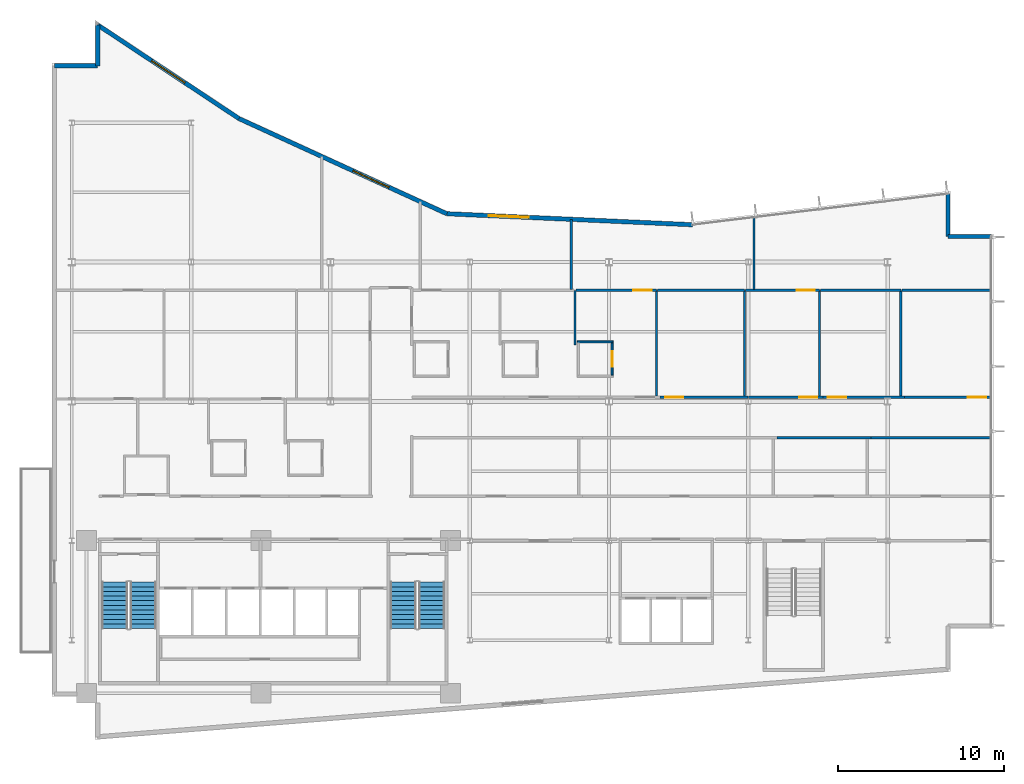
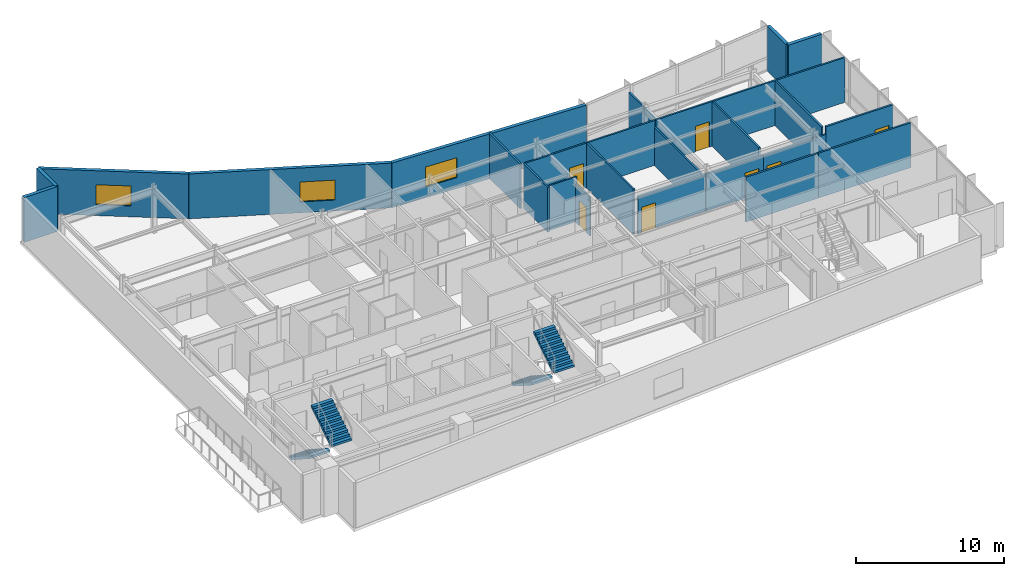
# One storey, part 13 of 18: 27 walls, 7 doors, 4 stair flights, 3 windows, 10 openings, 2 elements without a shape of their own.
"""IFC4 building model written with IfcOpenShell, lengths in metres."""

from ifc_helpers import new_model, si_unit, direction, frame, frame_2d, origin, place, context, subcontext, project, spatial, polyline, rectangle, outline, extrude, material, layer, layer_set, type_object, element, fill, aggregate, save


model = new_model("IFC4")

# Units and contexts
model_context = context("Model", 3, precision=1e-05, world=origin(), true_north=direction((0.0, 1.0)))
body_context = subcontext(model_context, "Body", "Model", "MODEL_VIEW")
ifc_project = project(units=[si_unit("LENGTHUNIT", "METRE"), si_unit("AREAUNIT", "SQUARE_METRE"), si_unit("VOLUMEUNIT", "CUBIC_METRE"), si_unit("PLANEANGLEUNIT", "RADIAN"), si_unit("MASSUNIT", "GRAM", prefix="KILO")], contexts=[model_context])

# Site, building, storey
site_placement = place(None, origin())
site = spatial("IfcSite", under=ifc_project, at=site_placement, CompositionType="ELEMENT")
building_placement = place(site_placement, origin())
building = spatial("IfcBuilding", under=site, at=building_placement, Name="Varnakote Quay Hospital", CompositionType="ELEMENT")
storey_placement = place(building_placement, frame((0.0, 0.0, 158.64990234375)))
storey = spatial("IfcBuildingStorey", under=building, at=storey_placement, Name="L39", CompositionType="ELEMENT", Elevation=158.64990234375)

# Wall
ifc_material_1 = material(Name="Moisture-resistant bathroom partition", Category="gypsum")
ifc_layer_1 = layer(ifc_material_1, 0.114990234375)
ifc_layer_set_1 = layer_set([ifc_layer_1], Name="Moisture-resistant bathroom partition")
wall_type_1 = type_object("IfcWallType", Name="WL-ENS-115", PredefinedType="PARTITIONING", material=ifc_layer_set_1)
wall_1_placement = place(storey_placement, frame((31.695068359375, 23.987548828125, 0.0), z_axis=(0.0, 0.0, 1.0), x_axis=(1.0, 0.0, 0.0)))
element("IfcWall", 1, at=wall_1_placement, inside=storey, type_object=wall_type_1, Name="L39 Inpatient En-Suite Bathroom 05 N Wall", PredefinedType="PARTITIONING", context=body_context, shape_type="SweptSolid", body=[
    extrude(rectangle(XDim=2.14990234375, YDim=0.114990234375, at=frame_2d((1.074951171875, 0.0))), origin(), (0.0, 0.0, 1.0), 3.710205078125),
])

# Wall, opening, door
wall_2_placement = place(storey_placement, frame((33.78759765625, 21.97998046875, 0.0), z_axis=(0.0, 0.0, 1.0), x_axis=(0.0, 1.0, 0.0)))
wall_2 = element("IfcWall", 2, at=wall_2_placement, inside=storey, type_object=wall_type_1, Name="L39 Inpatient En-Suite Bathroom 05 E Wall", PredefinedType="PARTITIONING", context=body_context, shape_type="SweptSolid", body=[
    extrude(rectangle(XDim=1.949951171875, YDim=0.114990234375, at=frame_2d((0.97509765625, 0.0))), origin(), (0.0, 0.0, 1.0), 3.152099609375),
])
opening_1_placement = place(wall_2_placement, frame((0.514892578125, 0.0, 0.0)))
opening_1 = element("IfcOpeningElement", 3, at=opening_1_placement, cuts=wall_2, Name="Opening D-L39-ENS05", PredefinedType="OPENING", context=body_context, shape_type="SweptSolid", body=[
    extrude(rectangle(XDim=0.919921875, YDim=2.10009765625, at=frame_2d((0.4599609375, 1.050048828125))), frame((0.0, 0.0673828125, 0.0), z_axis=(0.0, -1.0, 0.0), x_axis=(1.0, 0.0, 0.0)), (0.0, 0.0, 1.0), 0.135009765625),
])
ifc_material_2 = material(Name="Moisture-sealed en-suite bathroom door")
door_type_1 = type_object("IfcDoorType", Name="DR-ENS-920x2100", OperationType="NOTDEFINED", PredefinedType="DOOR", material=ifc_material_2)
door_1_placement = place(opening_1_placement, origin())
door_1 = element("IfcDoor", 4, at=door_1_placement, inside=storey, type_object=door_type_1, Name="L39 Inpatient En-Suite Bathroom 05 Door", OperationType="SINGLE_SWING_RIGHT", OverallHeight=2.10009765625, OverallWidth=0.919921875, PredefinedType="DOOR", context=body_context, shape_type="SweptSolid", body=[
    extrude(rectangle(XDim=0.919921875, YDim=2.10009765625, at=frame_2d((0.4599609375, 1.050048828125))), frame((0.0, 0.02490234375, 0.0), z_axis=(0.0, -1.0, 0.0), x_axis=(1.0, 0.0, 0.0)), (0.0, 0.0, 1.0), 0.050048828125),
])
fill(opening_1, door_1)

# Walls
ifc_material_3 = material(Name="Precast concrete N50 (f'c 50 MPa)", Category="concrete")
ifc_layer_2 = layer(ifc_material_3, 0.260009765625)
ifc_layer_set_2 = layer_set([ifc_layer_2], Name="Precast concrete N50 (f'c 50 MPa)")
wall_type_2 = type_object("IfcWallType", Name="WL-EXT-BRICK-260", PredefinedType="STANDARD", material=ifc_layer_set_2)
wall_3_placement = place(storey_placement, frame((56.639892578125, 30.340087890625, 0.0), z_axis=(0.0, 0.0, 1.0), x_axis=(-1.0, 0.0, 0.0)))
element("IfcWall", 5, at=wall_3_placement, inside=storey, type_object=wall_type_2, Name="L39 Brick-Faced Precast Exterior Wall", PredefinedType="STANDARD", context=body_context, shape_type="SweptSolid", body=[
    extrude(rectangle(XDim=2.599853515625, YDim=0.260009765625, at=frame_2d((1.2998046875, 0.0))), origin(), (0.0, 0.0, 1.0), 3.710205078125),
])
wall_4_placement = place(storey_placement, frame((54.0400390625, 30.340087890625, 0.0), z_axis=(0.0, 0.0, 1.0), x_axis=(0.0, 1.0, 0.0)))
element("IfcWall", 6, at=wall_4_placement, inside=storey, type_object=wall_type_2, Name="L39 Brick-Faced Precast Exterior Wall", PredefinedType="STANDARD", context=body_context, shape_type="SweptSolid", body=[
    extrude(rectangle(XDim=2.579345703125, YDim=0.260009765625, at=frame_2d((1.28955078125, 0.0))), origin(), (0.0, 0.0, 1.0), 3.710205078125),
])

# Wall, opening, window
wall_5_placement = place(storey_placement, frame((38.630126953125, 31.051513671875, 0.0), z_axis=(0.0, 0.0, 1.0), x_axis=(-0.998996592956, 0.044786239663, 0.0)))
wall_5 = element("IfcWall", 7, at=wall_5_placement, inside=storey, type_object=wall_type_2, Name="L39 Brick-Faced Precast Exterior Wall", PredefinedType="STANDARD", context=body_context, shape_type="SweptSolid", body=[
    extrude(rectangle(XDim=14.827392578125, YDim=0.260009765625, at=frame_2d((7.41357421875, 0.0))), origin(), (0.0, 0.0, 1.0), 3.710205078125),
])
opening_2_placement = place(wall_5_placement, frame((9.88232421875, 0.0, 0.89990234375)))
opening_2 = element("IfcOpeningElement", 8, at=opening_2_placement, cuts=wall_5, Name="Opening WN-0167", PredefinedType="OPENING", context=body_context, shape_type="SweptSolid", body=[
    extrude(rectangle(XDim=2.39990234375, YDim=1.64990234375, at=frame_2d((1.199951171875, 0.824951171875))), frame((0.0, 0.139892578125, 0.0), z_axis=(0.0, -1.0, 0.0), x_axis=(1.0, 0.0, 0.0)), (0.0, 0.0, 1.0), 0.280029296875),
])
ifc_material_4 = material(Name="Double-glazed low-E solar glass", Category="glass")
window_type = type_object("IfcWindowType", Name="WIN-CLIN-2400x1650", PartitioningType="SINGLE_PANEL", PredefinedType="WINDOW", material=ifc_material_4)
window_1_placement = place(opening_2_placement, origin())
window_1 = element("IfcWindow", 9, at=window_1_placement, inside=storey, type_object=window_type, Name="L39 Solar-Control Clinical Window", OverallHeight=1.64990234375, OverallWidth=2.39990234375, PartitioningType="SINGLE_PANEL", PredefinedType="WINDOW", context=body_context, shape_type="SweptSolid", body=[
    extrude(rectangle(XDim=2.39990234375, YDim=1.64990234375, at=frame_2d((1.199951171875, 0.824951171875))), frame((0.0, 0.030029296875, 0.0), z_axis=(0.0, -1.0, 0.0), x_axis=(1.0, 0.0, 0.0)), (0.0, 0.0, 1.0), 0.06005859375),
])
fill(opening_2, window_1)

wall_6_placement = place(storey_placement, frame((23.817626953125, 31.715576171875, 0.0), z_axis=(0.0, 0.0, 1.0), x_axis=(-0.909209527513, 0.416338846471, 0.0)))
wall_6 = element("IfcWall", 10, at=wall_6_placement, inside=storey, type_object=wall_type_2, Name="L39 Brick-Faced Precast Exterior Wall", PredefinedType="STANDARD", context=body_context, shape_type="SweptSolid", body=[
    extrude(rectangle(XDim=13.787353515625, YDim=0.260009765625, at=frame_2d((6.8935546875, 0.0))), origin(), (0.0, 0.0, 1.0), 3.710205078125),
])
opening_3_placement = place(wall_6_placement, frame((3.8291015625, 0.0, 0.89990234375)))
opening_3 = element("IfcOpeningElement", 11, at=opening_3_placement, cuts=wall_6, Name="Opening WN-0168", PredefinedType="OPENING", context=body_context, shape_type="SweptSolid", body=[
    extrude(rectangle(XDim=2.39990234375, YDim=1.64990234375, at=frame_2d((1.199951171875, 0.824951171875))), frame((0.0, 0.139892578125, 0.0), z_axis=(0.0, -1.0, 0.0), x_axis=(1.0, 0.0, 0.0)), (0.0, 0.0, 1.0), 0.280029296875),
])
window_2_placement = place(opening_3_placement, origin())
window_2 = element("IfcWindow", 12, at=window_2_placement, inside=storey, type_object=window_type, Name="L39 Solar-Control Clinical Window", OverallHeight=1.64990234375, OverallWidth=2.39990234375, PartitioningType="SINGLE_PANEL", PredefinedType="WINDOW", context=body_context, shape_type="SweptSolid", body=[
    extrude(rectangle(XDim=2.39990234375, YDim=1.64990234375, at=frame_2d((1.199951171875, 0.824951171875))), frame((0.0, 0.030029296875, 0.0), z_axis=(0.0, -1.0, 0.0), x_axis=(1.0, 0.0, 0.0)), (0.0, 0.0, 1.0), 0.06005859375),
])
fill(opening_3, window_2)

wall_7_placement = place(storey_placement, frame((11.281982421875, 37.455810546875, 0.0), z_axis=(0.0, 0.0, 1.0), x_axis=(-0.833630474253, 0.552322580017, 0.0)))
wall_7 = element("IfcWall", 13, at=wall_7_placement, inside=storey, type_object=wall_type_2, Name="L39 Brick-Faced Precast Exterior Wall", PredefinedType="STANDARD", context=body_context, shape_type="SweptSolid", body=[
    extrude(rectangle(XDim=10.22265625, YDim=0.260009765625, at=frame_2d((5.111328125, 0.0))), origin(), (0.0, 0.0, 1.0), 3.710205078125),
])
opening_4_placement = place(wall_7_placement, frame((3.911376953125, 0.0, 0.89990234375)))
opening_4 = element("IfcOpeningElement", 14, at=opening_4_placement, cuts=wall_7, Name="Opening WN-0169", PredefinedType="OPENING", context=body_context, shape_type="SweptSolid", body=[
    extrude(rectangle(XDim=2.39990234375, YDim=1.64990234375, at=frame_2d((1.199951171875, 0.824951171875))), frame((0.0, 0.139892578125, 0.0), z_axis=(0.0, -1.0, 0.0), x_axis=(1.0, 0.0, 0.0)), (0.0, 0.0, 1.0), 0.280029296875),
])
window_3_placement = place(opening_4_placement, origin())
window_3 = element("IfcWindow", 15, at=window_3_placement, inside=storey, type_object=window_type, Name="L39 Solar-Control Clinical Window", OverallHeight=1.64990234375, OverallWidth=2.39990234375, PartitioningType="SINGLE_PANEL", PredefinedType="WINDOW", context=body_context, shape_type="SweptSolid", body=[
    extrude(rectangle(XDim=2.39990234375, YDim=1.64990234375, at=frame_2d((1.199951171875, 0.824951171875))), frame((0.0, 0.030029296875, 0.0), z_axis=(0.0, -1.0, 0.0), x_axis=(1.0, 0.0, 0.0)), (0.0, 0.0, 1.0), 0.06005859375),
])
fill(opening_4, window_3)

# Walls
wall_8_placement = place(storey_placement, frame((2.760009765625, 43.10205078125, 0.0), z_axis=(0.0, 0.0, 1.0), x_axis=(0.0, -1.0, 0.0)))
element("IfcWall", 16, at=wall_8_placement, inside=storey, type_object=wall_type_2, Name="L39 Brick-Faced Precast Exterior Wall", PredefinedType="STANDARD", context=body_context, shape_type="SweptSolid", body=[
    extrude(rectangle(XDim=2.462158203125, YDim=0.260009765625, at=frame_2d((1.23095703125, 0.0))), origin(), (0.0, 0.0, 1.0), 3.710205078125),
])
wall_9_placement = place(storey_placement, frame((2.760009765625, 40.639892578125, 0.0), z_axis=(0.0, 0.0, 1.0), x_axis=(-1.0, 0.0, 0.0)))
element("IfcWall", 17, at=wall_9_placement, inside=storey, type_object=wall_type_2, Name="L39 Brick-Faced Precast Exterior Wall", PredefinedType="STANDARD", context=body_context, shape_type="SweptSolid", body=[
    extrude(rectangle(XDim=2.60009765625, YDim=0.260009765625, at=frame_2d((1.300048828125, 0.0))), origin(), (0.0, 0.0, 1.0), 3.710205078125),
])
ifc_material_5 = material(Name="Smoke-proof clinical partition", Category="gypsum")
ifc_layer_3 = layer(ifc_material_5, 0.135009765625)
ifc_layer_set_3 = layer_set([ifc_layer_3], Name="Smoke-proof clinical partition")
wall_type_3 = type_object("IfcWallType", Name="WL-SMOKE-135", PredefinedType="PARTITIONING", material=ifc_layer_set_3)
wall_10_placement = place(storey_placement, frame((31.550048828125, 23.802490234375, 0.0), z_axis=(0.0, 0.0, 1.0), x_axis=(0.0, 1.0, 0.0)))
element("IfcWall", 18, at=wall_10_placement, inside=storey, type_object=wall_type_3, Name="L39 Clinical Interior Partition", PredefinedType="PARTITIONING", context=body_context, shape_type="SweptSolid", body=[
    extrude(rectangle(XDim=3.297607421875, YDim=0.135009765625, at=frame_2d((1.64892578125, 0.0))), origin(), (0.0, 0.0, 1.0), 3.710205078125),
])
wall_11_placement = place(storey_placement, frame((36.4599609375, 20.715087890625, 0.0), z_axis=(0.0, 0.0, 1.0), x_axis=(0.0, 1.0, 0.0)))
element("IfcWall", 19, at=wall_11_placement, inside=storey, type_object=wall_type_3, Name="L39 Clinical Interior Partition", PredefinedType="PARTITIONING", context=body_context, shape_type="SweptSolid", body=[
    extrude(rectangle(XDim=6.385009765625, YDim=0.135009765625, at=frame_2d((3.1923828125, 0.0))), origin(), (0.0, 0.0, 1.0), 3.710205078125),
])

# Wall, opening, door
wall_12_placement = place(storey_placement, frame((36.4599609375, 27.10009765625, 0.0), z_axis=(0.0, 0.0, 1.0), x_axis=(-1.0, 0.0, 0.0)))
wall_12 = element("IfcWall", 20, at=wall_12_placement, inside=storey, type_object=wall_type_3, Name="L39 Clinical Interior Partition", PredefinedType="PARTITIONING", context=body_context, shape_type="SweptSolid", body=[
    extrude(rectangle(XDim=4.8525390625, YDim=0.135009765625, at=frame_2d((2.42626953125, 0.0))), origin(), (0.0, 0.0, 1.0), 3.710205078125),
])
opening_5_placement = place(wall_12_placement, frame((0.28369140625, 0.0, 0.0)))
opening_5 = element("IfcOpeningElement", 21, at=opening_5_placement, cuts=wall_12, Name="Opening D-L39-MD16", PredefinedType="OPENING", context=body_context, shape_type="SweptSolid", body=[
    extrude(rectangle(XDim=1.10009765625, YDim=2.10009765625, at=frame_2d((0.550048828125, 1.050048828125))), frame((0.0, 0.077392578125, 0.0), z_axis=(0.0, -1.0, 0.0), x_axis=(1.0, 0.0, 0.0)), (0.0, 0.0, 1.0), 0.155029296875),
])
ifc_material_6 = material(Name="Acoustic timber clinical consult door", Category="wood")
door_type_2 = type_object("IfcDoorType", Name="DR-CLIN-FD30S-1100x2100", OperationType="NOTDEFINED", PredefinedType="DOOR", material=ifc_material_6)
door_2_placement = place(opening_5_placement, origin())
door_2 = element("IfcDoor", 22, at=door_2_placement, inside=storey, type_object=door_type_2, Name="L39 Clinical Educator Office Door", OperationType="SINGLE_SWING_RIGHT", OverallHeight=2.10009765625, OverallWidth=1.10009765625, PredefinedType="DOOR", context=body_context, shape_type="SweptSolid", body=[
    extrude(rectangle(XDim=1.10009765625, YDim=2.10009765625, at=frame_2d((0.550048828125, 1.050048828125))), frame((0.0, 0.02490234375, 0.0), z_axis=(0.0, -1.0, 0.0), x_axis=(1.0, 0.0, 0.0)), (0.0, 0.0, 1.0), 0.050048828125),
])
fill(opening_5, door_2)

# Walls
wall_13_placement = place(storey_placement, frame((41.77001953125, 20.715087890625, 0.0), z_axis=(0.0, 0.0, 1.0), x_axis=(0.0, 1.0, 0.0)))
element("IfcWall", 23, at=wall_13_placement, inside=storey, type_object=wall_type_3, Name="L39 Clinical Interior Partition", PredefinedType="PARTITIONING", context=body_context, shape_type="SweptSolid", body=[
    extrude(rectangle(XDim=6.385009765625, YDim=0.135009765625, at=frame_2d((3.1923828125, 0.0))), origin(), (0.0, 0.0, 1.0), 3.152099609375),
])
wall_14_placement = place(storey_placement, frame((41.77001953125, 27.10009765625, 0.0), z_axis=(0.0, 0.0, 1.0), x_axis=(-1.0, 0.0, 0.0)))
element("IfcWall", 24, at=wall_14_placement, inside=storey, type_object=wall_type_3, Name="L39 Clinical Interior Partition", PredefinedType="PARTITIONING", context=body_context, shape_type="SweptSolid", body=[
    extrude(rectangle(XDim=5.25244140625, YDim=0.135009765625, at=frame_2d((2.626220703125, 0.0))), origin(), (0.0, 0.0, 1.0), 3.710205078125),
])
wall_15_placement = place(storey_placement, frame((46.2900390625, 20.715087890625, 0.0), z_axis=(0.0, 0.0, 1.0), x_axis=(0.0, 1.0, 0.0)))
element("IfcWall", 25, at=wall_15_placement, inside=storey, type_object=wall_type_3, Name="L39 Clinical Interior Partition", PredefinedType="PARTITIONING", context=body_context, shape_type="SweptSolid", body=[
    extrude(rectangle(XDim=6.385009765625, YDim=0.135009765625, at=frame_2d((3.1923828125, 0.0))), origin(), (0.0, 0.0, 1.0), 3.710205078125),
])

# Wall, opening, door
wall_16_placement = place(storey_placement, frame((46.2900390625, 27.10009765625, 0.0), z_axis=(0.0, 0.0, 1.0), x_axis=(-1.0, 0.0, 0.0)))
wall_16 = element("IfcWall", 26, at=wall_16_placement, inside=storey, type_object=wall_type_3, Name="L39 Clinical Interior Partition", PredefinedType="PARTITIONING", context=body_context, shape_type="SweptSolid", body=[
    extrude(rectangle(XDim=4.462646484375, YDim=0.135009765625, at=frame_2d((2.2314453125, 0.0))), origin(), (0.0, 0.0, 1.0), 3.710205078125),
])
opening_6_placement = place(wall_16_placement, frame((0.274169921875, 0.0, 0.0)))
opening_6 = element("IfcOpeningElement", 27, at=opening_6_placement, cuts=wall_16, Name="Opening D-L39-MD17", PredefinedType="OPENING", context=body_context, shape_type="SweptSolid", body=[
    extrude(rectangle(XDim=1.10009765625, YDim=2.10009765625, at=frame_2d((0.550048828125, 1.050048828125))), frame((0.0, 0.077392578125, 0.0), z_axis=(0.0, -1.0, 0.0), x_axis=(1.0, 0.0, 0.0)), (0.0, 0.0, 1.0), 0.155029296875),
])
door_3_placement = place(opening_6_placement, origin())
door_3 = element("IfcDoor", 28, at=door_3_placement, inside=storey, type_object=door_type_2, Name="L39 Clinical Simulation Teaching Room Door", OperationType="SINGLE_SWING_LEFT", OverallHeight=2.10009765625, OverallWidth=1.10009765625, PredefinedType="DOOR", context=body_context, shape_type="SweptSolid", body=[
    extrude(rectangle(XDim=1.10009765625, YDim=2.10009765625, at=frame_2d((0.550048828125, 1.050048828125))), frame((0.0, 0.02490234375, 0.0), z_axis=(0.0, -1.0, 0.0), x_axis=(1.0, 0.0, 0.0)), (0.0, 0.0, 1.0), 0.050048828125),
])
fill(opening_6, door_3)

# Walls
wall_17_placement = place(storey_placement, frame((51.199951171875, 20.715087890625, 0.0), z_axis=(0.0, 0.0, 1.0), x_axis=(0.0, 1.0, 0.0)))
element("IfcWall", 29, at=wall_17_placement, inside=storey, type_object=wall_type_3, Name="L39 Clinical Interior Partition", PredefinedType="PARTITIONING", context=body_context, shape_type="SweptSolid", body=[
    extrude(rectangle(XDim=6.385009765625, YDim=0.135009765625, at=frame_2d((3.1923828125, 0.0))), origin(), (0.0, 0.0, 1.0), 3.710205078125),
])
wall_18_placement = place(storey_placement, frame((51.199951171875, 27.10009765625, 0.0), z_axis=(0.0, 0.0, 1.0), x_axis=(-1.0, 0.0, 0.0)))
element("IfcWall", 30, at=wall_18_placement, inside=storey, type_object=wall_type_3, Name="L39 Clinical Interior Partition", PredefinedType="PARTITIONING", context=body_context, shape_type="SweptSolid", body=[
    extrude(rectangle(XDim=4.8525390625, YDim=0.135009765625, at=frame_2d((2.42626953125, 0.0))), origin(), (0.0, 0.0, 1.0), 3.710205078125),
])
wall_19_placement = place(storey_placement, frame((56.639892578125, 27.10009765625, 0.0), z_axis=(0.0, 0.0, 1.0), x_axis=(-1.0, 0.0, 0.0)))
element("IfcWall", 31, at=wall_19_placement, inside=storey, type_object=wall_type_3, Name="L39 Clinical Interior Partition", PredefinedType="PARTITIONING", context=body_context, shape_type="SweptSolid", body=[
    extrude(rectangle(XDim=5.38232421875, YDim=0.135009765625, at=frame_2d((2.691162109375, 0.0))), origin(), (0.0, 0.0, 1.0), 3.710205078125),
])
wall_20_placement = place(storey_placement, frame((31.320068359375, 27.157470703125, 0.0), z_axis=(0.0, 0.0, 1.0), x_axis=(0.0, 1.0, 0.0)))
element("IfcWall", 32, at=wall_20_placement, inside=storey, type_object=wall_type_3, Name="L39 Clinical Interior Partition", PredefinedType="PARTITIONING", context=body_context, shape_type="SweptSolid", body=[
    extrude(rectangle(XDim=4.221923828125, YDim=0.135009765625, at=frame_2d((2.11083984375, 0.0))), origin(), (0.0, 0.0, 1.0), 3.710205078125),
])
wall_21_placement = place(storey_placement, frame((42.340087890625, 27.157470703125, 0.0), z_axis=(0.0, 0.0, 1.0), x_axis=(0.0, 1.0, 0.0)))
element("IfcWall", 33, at=wall_21_placement, inside=storey, type_object=wall_type_3, Name="L39 Clinical Interior Partition", PredefinedType="PARTITIONING", context=body_context, shape_type="SweptSolid", body=[
    extrude(rectangle(XDim=4.34375, YDim=0.135009765625, at=frame_2d((2.171875, 0.0))), origin(), (0.0, 0.0, 1.0), 3.152099609375),
])
ifc_material_7 = material(Name="Fire-rated clinical gypsum partition", Category="gypsum")
ifc_layer_4 = layer(ifc_material_7, 0.14990234375)
ifc_layer_set_4 = layer_set([ifc_layer_4], Name="Fire-rated clinical gypsum partition")
wall_type_4 = type_object("IfcWallType", Name="WL-WARD-150", PredefinedType="PARTITIONING", material=ifc_layer_set_4)
wall_22_placement = place(storey_placement, frame((43.72802734375, 18.199951171875, 0.0), z_axis=(0.0, 0.0, 1.0), x_axis=(1.0, 0.0, 0.0)))
element("IfcWall", 34, at=wall_22_placement, inside=storey, type_object=wall_type_4, Name="L39 Clinical Interior Partition", PredefinedType="PARTITIONING", context=body_context, shape_type="SweptSolid", body=[
    extrude(rectangle(XDim=5.66796875, YDim=0.14990234375, at=frame_2d((2.833984375, 0.0))), origin(), (0.0, 0.0, 1.0), 3.710205078125),
])
wall_23_placement = place(storey_placement, frame((49.39794921875, 18.199951171875, 0.0), z_axis=(0.0, 0.0, 1.0), x_axis=(1.0, 0.0, 0.0)))
element("IfcWall", 35, at=wall_23_placement, inside=storey, type_object=wall_type_4, Name="L39 Clinical Interior Partition", PredefinedType="PARTITIONING", context=body_context, shape_type="SweptSolid", body=[
    extrude(rectangle(XDim=7.241943359375, YDim=0.14990234375, at=frame_2d((3.62109375, 0.0))), origin(), (0.0, 0.0, 1.0), 3.710205078125),
])

# Wall, opening, door
wall_24_placement = place(storey_placement, frame((41.99609375, 20.64990234375, 0.0), z_axis=(0.0, 0.0, 1.0), x_axis=(-1.0, 0.0, 0.0)))
wall_24 = element("IfcWall", 36, at=wall_24_placement, inside=storey, type_object=wall_type_4, Name="L39 Clinical Interior Partition", PredefinedType="PARTITIONING", context=body_context, shape_type="SweptSolid", body=[
    extrude(rectangle(XDim=5.30810546875, YDim=0.14990234375, at=frame_2d((2.654052734375, 0.0))), origin(), (0.0, 0.0, 1.0), 3.0830078125),
])
opening_7_placement = place(wall_24_placement, frame((3.912841796875, 0.0, 0.0)))
opening_7 = element("IfcOpeningElement", 37, at=opening_7_placement, cuts=wall_24, Name="Opening D-L39-MD09", PredefinedType="OPENING", context=body_context, shape_type="SweptSolid", body=[
    extrude(rectangle(XDim=1.10009765625, YDim=2.10009765625, at=frame_2d((0.550048828125, 1.050048828125))), frame((0.0, 0.0849609375, 0.0), z_axis=(0.0, -1.0, 0.0), x_axis=(1.0, 0.0, 0.0)), (0.0, 0.0, 1.0), 0.169921875),
])
door_4_placement = place(opening_7_placement, origin())
door_4 = element("IfcDoor", 38, at=door_4_placement, inside=storey, type_object=door_type_2, Name="L39 Clinical Simulation Teaching Room Door", OperationType="SINGLE_SWING_RIGHT", OverallHeight=2.10009765625, OverallWidth=1.10009765625, PredefinedType="DOOR", context=body_context, shape_type="SweptSolid", body=[
    extrude(rectangle(XDim=1.10009765625, YDim=2.10009765625, at=frame_2d((0.550048828125, 1.050048828125))), frame((0.0, 0.02490234375, 0.0), z_axis=(0.0, -1.0, 0.0), x_axis=(1.0, 0.0, 0.0)), (0.0, 0.0, 1.0), 0.050048828125),
])
fill(opening_7, door_4)

wall_25_placement = place(storey_placement, frame((46.51611328125, 20.64990234375, 0.0), z_axis=(0.0, 0.0, 1.0), x_axis=(-1.0, 0.0, 0.0)))
wall_25 = element("IfcWall", 39, at=wall_25_placement, inside=storey, type_object=wall_type_4, Name="L39 Clinical Interior Partition", PredefinedType="PARTITIONING", context=body_context, shape_type="SweptSolid", body=[
    extrude(rectangle(XDim=4.51806640625, YDim=0.14990234375, at=frame_2d((2.259033203125, 0.0))), origin(), (0.0, 0.0, 1.0), 3.0830078125),
])
opening_8_placement = place(wall_25_placement, frame((0.350830078125, 0.0, 0.0)))
opening_8 = element("IfcOpeningElement", 40, at=opening_8_placement, cuts=wall_25, Name="Opening D-L39-MD10", PredefinedType="OPENING", context=body_context, shape_type="SweptSolid", body=[
    extrude(rectangle(XDim=1.10009765625, YDim=2.10009765625, at=frame_2d((0.550048828125, 1.050048828125))), frame((0.0, 0.0849609375, 0.0), z_axis=(0.0, -1.0, 0.0), x_axis=(1.0, 0.0, 0.0)), (0.0, 0.0, 1.0), 0.169921875),
])
door_5_placement = place(opening_8_placement, origin())
door_5 = element("IfcDoor", 41, at=door_5_placement, inside=storey, type_object=door_type_2, Name="L39 Allied Health Teaching Laboratory Door", OperationType="SINGLE_SWING_LEFT", OverallHeight=2.10009765625, OverallWidth=1.10009765625, PredefinedType="DOOR", context=body_context, shape_type="SweptSolid", body=[
    extrude(rectangle(XDim=1.10009765625, YDim=2.10009765625, at=frame_2d((0.550048828125, 1.050048828125))), frame((0.0, 0.02490234375, 0.0), z_axis=(0.0, -1.0, 0.0), x_axis=(1.0, 0.0, 0.0)), (0.0, 0.0, 1.0), 0.050048828125),
])
fill(opening_8, door_5)

wall_26_placement = place(storey_placement, frame((51.426025390625, 20.64990234375, 0.0), z_axis=(0.0, 0.0, 1.0), x_axis=(-1.0, 0.0, 0.0)))
wall_26 = element("IfcWall", 42, at=wall_26_placement, inside=storey, type_object=wall_type_4, Name="L39 Clinical Interior Partition", PredefinedType="PARTITIONING", context=body_context, shape_type="SweptSolid", body=[
    extrude(rectangle(XDim=4.907958984375, YDim=0.14990234375, at=frame_2d((2.4541015625, 0.0))), origin(), (0.0, 0.0, 1.0), 3.0830078125),
])
opening_9_placement = place(wall_26_placement, frame((3.522705078125, 0.0, 0.0)))
opening_9 = element("IfcOpeningElement", 43, at=opening_9_placement, cuts=wall_26, Name="Opening D-L39-MD11", PredefinedType="OPENING", context=body_context, shape_type="SweptSolid", body=[
    extrude(rectangle(XDim=1.10009765625, YDim=2.10009765625, at=frame_2d((0.550048828125, 1.050048828125))), frame((0.0, 0.0849609375, 0.0), z_axis=(0.0, -1.0, 0.0), x_axis=(1.0, 0.0, 0.0)), (0.0, 0.0, 1.0), 0.169921875),
])
door_6_placement = place(opening_9_placement, origin())
door_6 = element("IfcDoor", 44, at=door_6_placement, inside=storey, type_object=door_type_2, Name="L39 Specialist Handover Meeting Room Door", OperationType="SINGLE_SWING_RIGHT", OverallHeight=2.10009765625, OverallWidth=1.10009765625, PredefinedType="DOOR", context=body_context, shape_type="SweptSolid", body=[
    extrude(rectangle(XDim=1.10009765625, YDim=2.10009765625, at=frame_2d((0.550048828125, 1.050048828125))), frame((0.0, 0.02490234375, 0.0), z_axis=(0.0, -1.0, 0.0), x_axis=(1.0, 0.0, 0.0)), (0.0, 0.0, 1.0), 0.050048828125),
])
fill(opening_9, door_6)

wall_27_placement = place(storey_placement, frame((56.639892578125, 20.64990234375, 0.0), z_axis=(0.0, 0.0, 1.0), x_axis=(-1.0, 0.0, 0.0)))
wall_27 = element("IfcWall", 45, at=wall_27_placement, inside=storey, type_object=wall_type_4, Name="L39 Clinical Interior Partition", PredefinedType="PARTITIONING", context=body_context, shape_type="SweptSolid", body=[
    extrude(rectangle(XDim=5.2119140625, YDim=0.14990234375, at=frame_2d((2.60595703125, 0.0))), origin(), (0.0, 0.0, 1.0), 3.710205078125),
])
opening_10_placement = place(wall_27_placement, frame((0.292724609375, 0.0, 0.0)))
opening_10 = element("IfcOpeningElement", 46, at=opening_10_placement, cuts=wall_27, Name="Opening D-L39-MD12", PredefinedType="OPENING", context=body_context, shape_type="SweptSolid", body=[
    extrude(rectangle(XDim=1.10009765625, YDim=2.10009765625, at=frame_2d((0.550048828125, 1.050048828125))), frame((0.0, 0.0849609375, 0.0), z_axis=(0.0, -1.0, 0.0), x_axis=(1.0, 0.0, 0.0)), (0.0, 0.0, 1.0), 0.169921875),
])
door_7_placement = place(opening_10_placement, origin())
door_7 = element("IfcDoor", 47, at=door_7_placement, inside=storey, type_object=door_type_2, Name="L39 Clinical Educator Office Door", OperationType="SINGLE_SWING_LEFT", OverallHeight=2.10009765625, OverallWidth=1.10009765625, PredefinedType="DOOR", context=body_context, shape_type="SweptSolid", body=[
    extrude(rectangle(XDim=1.10009765625, YDim=2.10009765625, at=frame_2d((0.550048828125, 1.050048828125))), frame((0.0, 0.02490234375, 0.0), z_axis=(0.0, -1.0, 0.0), x_axis=(1.0, 0.0, 0.0)), (0.0, 0.0, 1.0), 0.050048828125),
])
fill(opening_10, door_7)

# Stair, stair flights
ifc_material_8 = material(Name="Concrete N40 (f'c 40 MPa)", Category="concrete")
stair_type = type_object("IfcStairType", Name="STR-CORE-1580", PredefinedType="HALF_TURN_STAIR", material=ifc_material_8)
stair_1_placement = place(storey_placement, origin())
stair_1 = element("IfcStair", 48, at=stair_1_placement, inside=storey, type_object=stair_type, Name="L39 Fire-Isolated Exit Stair ST-01", PredefinedType="HALF_TURN_STAIR")
ifc_material_9 = material(Name="Concrete N40 (f'c 40 MPa)", Category="concrete")
ifc_layer_5 = layer(ifc_material_9, 0.159912109375)
ifc_layer_set_5 = layer_set([ifc_layer_5], Name="Concrete N40 (f'c 40 MPa)")
stair_flight_type = type_object("IfcStairFlightType", Name="FLT-CORE-1580", PredefinedType="STRAIGHT", material=ifc_layer_set_5)
stair_flight_1_placement = place(storey_placement, frame((3.7900390625, 9.5, 0.0), z_axis=(0.0, 0.0, 1.0), x_axis=(0.0, -1.0, 0.0)))
stair_flight_1 = element("IfcStairFlight", 49, at=stair_flight_1_placement, type_object=stair_flight_type, Name="ST-01 flight 1", NumberOfRisers=11, NumberOfTreads=10, PredefinedType="STRAIGHT", RiserHeight=0.179545455, TreadLength=0.28, context=body_context, shape_type="SweptSolid", body=[
    extrude(outline(polyline([(0.0, 0.0), (0.0, 0.179443359375), (0.280029296875, 0.179443359375), (0.280029296875, 0.359130859375), (0.56005859375, 0.359130859375), (0.56005859375, 0.53857421875), (0.840087890625, 0.53857421875), (0.840087890625, 0.71826171875), (1.1201171875, 0.71826171875), (1.1201171875, 0.897705078125), (1.39990234375, 0.897705078125), (1.39990234375, 1.077392578125), (1.679931640625, 1.077392578125), (1.679931640625, 1.2568359375), (1.9599609375, 1.2568359375), (1.9599609375, 1.436279296875), (2.239990234375, 1.436279296875), (2.239990234375, 1.615966796875), (2.52001953125, 1.615966796875), (2.52001953125, 1.79541015625), (2.800048828125, 1.79541015625), (2.800048828125, 1.97509765625), (2.800048828125, 1.60546875), (0.296142578125, 0.0), (0.0, 0.0)])), frame((0.0, 0.7900390625, 0.0), z_axis=(0.0, -1.0, 0.0), x_axis=(1.0, 0.0, 0.0)), (0.0, 0.0, 1.0), 1.580078125),
])
stair_flight_2_placement = place(storey_placement, frame((5.510009765625, 6.699951171875, 1.97509765625), z_axis=(0.0, 0.0, 1.0), x_axis=(0.0, 1.0, 0.0)))
stair_flight_2 = element("IfcStairFlight", 50, at=stair_flight_2_placement, type_object=stair_flight_type, Name="ST-01 flight 2", NumberOfRisers=11, NumberOfTreads=10, PredefinedType="STRAIGHT", RiserHeight=0.179545455, TreadLength=0.28, context=body_context, shape_type="SweptSolid", body=[
    extrude(outline(polyline([(0.0, 0.0), (0.0, 0.179443359375), (0.280029296875, 0.179443359375), (0.280029296875, 0.359130859375), (0.56005859375, 0.359130859375), (0.56005859375, 0.53857421875), (0.840087890625, 0.53857421875), (0.840087890625, 0.71826171875), (1.1201171875, 0.71826171875), (1.1201171875, 0.897705078125), (1.39990234375, 0.897705078125), (1.39990234375, 1.077392578125), (1.679931640625, 1.077392578125), (1.679931640625, 1.2568359375), (1.9599609375, 1.2568359375), (1.9599609375, 1.436279296875), (2.239990234375, 1.436279296875), (2.239990234375, 1.615966796875), (2.52001953125, 1.615966796875), (2.52001953125, 1.79541015625), (2.800048828125, 1.79541015625), (2.800048828125, 1.97509765625), (2.800048828125, 1.60546875), (0.296142578125, 0.0), (0.0, 0.0)])), frame((0.0, 0.7900390625, 0.0), z_axis=(0.0, -1.0, 0.0), x_axis=(1.0, 0.0, 0.0)), (0.0, 0.0, 1.0), 1.580078125),
])
aggregate(stair_1, [stair_flight_1, stair_flight_2])

stair_2_placement = place(storey_placement, origin())
stair_2 = element("IfcStair", 51, at=stair_2_placement, inside=storey, type_object=stair_type, Name="L39 Fire-Isolated Exit Stair ST-02", PredefinedType="HALF_TURN_STAIR")
stair_flight_3_placement = place(storey_placement, frame((21.18994140625, 9.5, 0.0), z_axis=(0.0, 0.0, 1.0), x_axis=(0.0, -1.0, 0.0)))
stair_flight_3 = element("IfcStairFlight", 52, at=stair_flight_3_placement, type_object=stair_flight_type, Name="ST-02 flight 1", NumberOfRisers=11, NumberOfTreads=10, PredefinedType="STRAIGHT", RiserHeight=0.179545455, TreadLength=0.28, context=body_context, shape_type="SweptSolid", body=[
    extrude(outline(polyline([(0.0, 0.0), (0.0, 0.179443359375), (0.280029296875, 0.179443359375), (0.280029296875, 0.359130859375), (0.56005859375, 0.359130859375), (0.56005859375, 0.53857421875), (0.840087890625, 0.53857421875), (0.840087890625, 0.71826171875), (1.1201171875, 0.71826171875), (1.1201171875, 0.897705078125), (1.39990234375, 0.897705078125), (1.39990234375, 1.077392578125), (1.679931640625, 1.077392578125), (1.679931640625, 1.2568359375), (1.9599609375, 1.2568359375), (1.9599609375, 1.436279296875), (2.239990234375, 1.436279296875), (2.239990234375, 1.615966796875), (2.52001953125, 1.615966796875), (2.52001953125, 1.79541015625), (2.800048828125, 1.79541015625), (2.800048828125, 1.97509765625), (2.800048828125, 1.60546875), (0.296142578125, 0.0), (0.0, 0.0)])), frame((0.0, 0.7900390625, 0.0), z_axis=(0.0, -1.0, 0.0), x_axis=(1.0, 0.0, 0.0)), (0.0, 0.0, 1.0), 1.580078125),
])
stair_flight_4_placement = place(storey_placement, frame((22.909912109375, 6.699951171875, 1.97509765625), z_axis=(0.0, 0.0, 1.0), x_axis=(0.0, 1.0, 0.0)))
stair_flight_4 = element("IfcStairFlight", 53, at=stair_flight_4_placement, type_object=stair_flight_type, Name="ST-02 flight 2", NumberOfRisers=11, NumberOfTreads=10, PredefinedType="STRAIGHT", RiserHeight=0.179545455, TreadLength=0.28, context=body_context, shape_type="SweptSolid", body=[
    extrude(outline(polyline([(0.0, 0.0), (0.0, 0.179443359375), (0.280029296875, 0.179443359375), (0.280029296875, 0.359130859375), (0.56005859375, 0.359130859375), (0.56005859375, 0.53857421875), (0.840087890625, 0.53857421875), (0.840087890625, 0.71826171875), (1.1201171875, 0.71826171875), (1.1201171875, 0.897705078125), (1.39990234375, 0.897705078125), (1.39990234375, 1.077392578125), (1.679931640625, 1.077392578125), (1.679931640625, 1.2568359375), (1.9599609375, 1.2568359375), (1.9599609375, 1.436279296875), (2.239990234375, 1.436279296875), (2.239990234375, 1.615966796875), (2.52001953125, 1.615966796875), (2.52001953125, 1.79541015625), (2.800048828125, 1.79541015625), (2.800048828125, 1.97509765625), (2.800048828125, 1.60546875), (0.296142578125, 0.0), (0.0, 0.0)])), frame((0.0, 0.7900390625, 0.0), z_axis=(0.0, -1.0, 0.0), x_axis=(1.0, 0.0, 0.0)), (0.0, 0.0, 1.0), 1.580078125),
])
aggregate(stair_2, [stair_flight_3, stair_flight_4])

save(model, "model.ifc")
